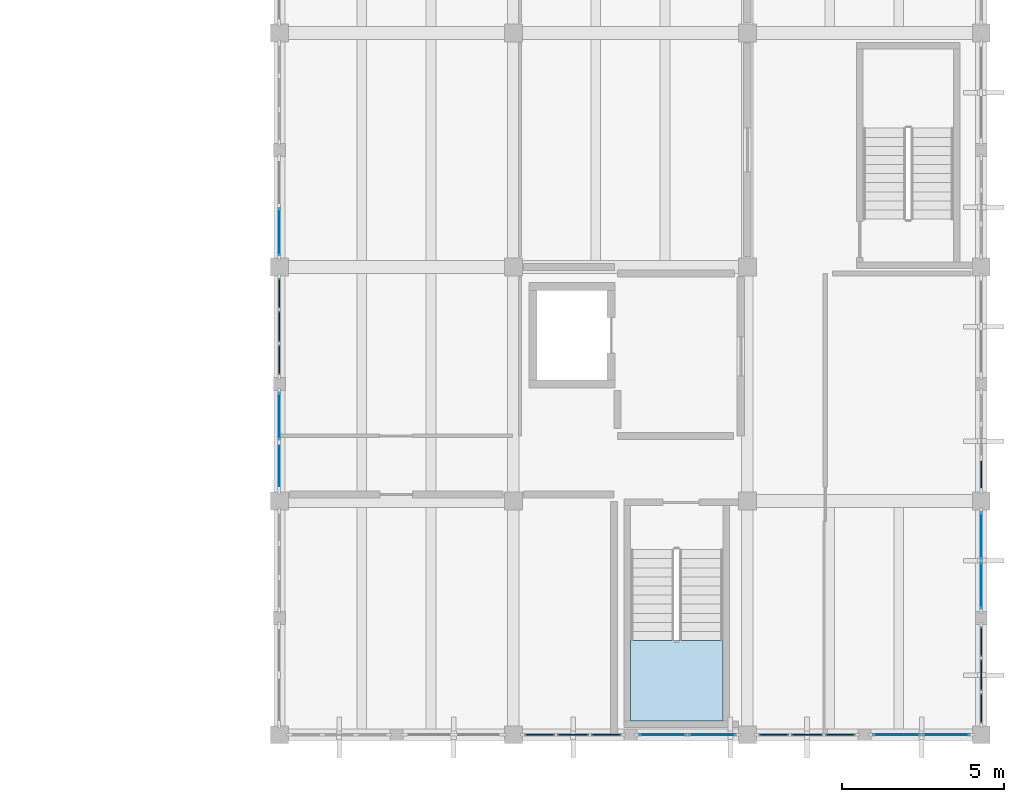
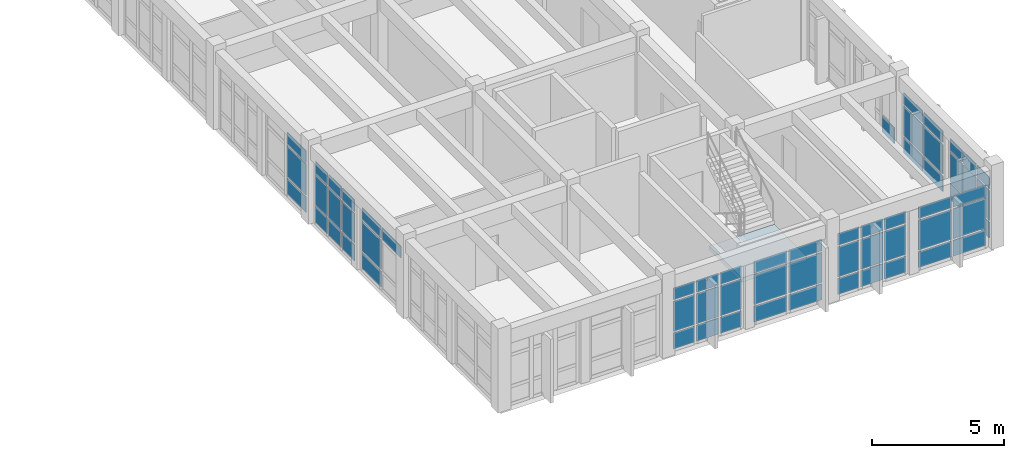
# One storey, part 12 of 22: 62 plates, 1 slab, 11 elements without a shape of their own.
"""IFC4 building model written with IfcOpenShell, lengths in metres."""

from ifc_helpers import new_model, si_unit, direction, frame, origin, origin_2d, place, context, subcontext, project, spatial, polyline, rectangle, outline, extrude, material, layer, layer_set, type_object, element, aggregate, save


model = new_model("IFC4")

# Units and contexts
model_context = context("Model", 3, precision=1e-05, world=origin(), true_north=direction((0.0, 1.0)))
body_context = subcontext(model_context, "Body", "Model", "MODEL_VIEW")
ifc_project = project(units=[si_unit("LENGTHUNIT", "METRE"), si_unit("AREAUNIT", "SQUARE_METRE"), si_unit("VOLUMEUNIT", "CUBIC_METRE"), si_unit("PLANEANGLEUNIT", "RADIAN"), si_unit("MASSUNIT", "GRAM", prefix="KILO")], contexts=[model_context])

# Site, building, storey
site_placement = place(None, origin())
site = spatial("IfcSite", under=ifc_project, at=site_placement, CompositionType="ELEMENT")
building_placement = place(site_placement, origin())
building = spatial("IfcBuilding", under=site, at=building_placement, Name="Koriwan Promenade Central Fire Station", CompositionType="ELEMENT")
storey_placement = place(building_placement, frame((0.0, 0.0, 17.39990234375)))
storey = spatial("IfcBuildingStorey", under=building, at=storey_placement, Name="L04", CompositionType="ELEMENT", Elevation=17.39990234375)

# Curtain wall, plates
ifc_material_1 = material(Name="Aluminium EN AW-6063-T6 and low-E glazing", Category="aluminium")
ifc_layer_1 = layer(ifc_material_1, 0.159912109375, Name="Aluminium EN AW-6063-T6 and low-E glazing")
ifc_layer_set_1 = layer_set([ifc_layer_1], Name="Aluminium EN AW-6063-T6 and low-E glazing")
curtain_wall_type_1 = type_object("IfcCurtainWallType", Name="CurtainWall_83_312x296", PredefinedType="USERDEFINED", material=ifc_layer_set_1)
curtain_wall_1_placement = place(storey_placement, origin())
curtain_wall_1 = element("IfcCurtainWall", 1, at=curtain_wall_1_placement, inside=storey, type_object=curtain_wall_type_1, Name="V5 L04 unitised curtain wall 252", ObjectType="UNITISED CURTAIN WALL", PredefinedType="USERDEFINED")
ifc_material_2 = material(Name="Low-E laminated double glazing", Category="glass")
ifc_layer_2 = layer(ifc_material_2, 0.028076171875, Name="Low-E laminated double glazing")
ifc_layer_set_2 = layer_set([ifc_layer_2], Name="Low-E laminated double glazing")
plate_type_1 = type_object("IfcPlateType", Name="CWPanel_28", PredefinedType="CURTAIN_PANEL", material=ifc_layer_set_2)
plate_1_placement = place(storey_placement, frame((172.800048828125, 4.601318359375, 0.080078125), z_axis=(0.0, 0.0, 1.0), x_axis=(0.0, 1.0, 0.0)))
plate_1 = element("IfcPlate", 2, at=plate_1_placement, type_object=plate_type_1, Name="CW-83 panel 1.1", PredefinedType="CURTAIN_PANEL", context=body_context, shape_type="SweptSolid", body=[
    extrude(rectangle(XDim=1.4423828125, YDim=0.028076171875, at=origin_2d()), origin(), (0.0, 0.0, 1.0), 0.72998046875),
])
plate_2_placement = place(storey_placement, frame((172.800048828125, 4.601318359375, 0.89013671875), z_axis=(0.0, 0.0, 1.0), x_axis=(0.0, 1.0, 0.0)))
plate_2 = element("IfcPlate", 3, at=plate_2_placement, type_object=plate_type_1, Name="CW-83 panel 1.2", PredefinedType="CURTAIN_PANEL", context=body_context, shape_type="SweptSolid", body=[
    extrude(rectangle(XDim=1.4423828125, YDim=0.028076171875, at=origin_2d()), origin(), (0.0, 0.0, 1.0), 1.3798828125),
])
plate_3_placement = place(storey_placement, frame((172.800048828125, 4.601318359375, 2.35009765625), z_axis=(0.0, 0.0, 1.0), x_axis=(0.0, 1.0, 0.0)))
plate_3 = element("IfcPlate", 4, at=plate_3_placement, type_object=plate_type_1, Name="CW-83 panel 1.3", PredefinedType="CURTAIN_PANEL", context=body_context, shape_type="SweptSolid", body=[
    extrude(rectangle(XDim=1.4423828125, YDim=0.028076171875, at=origin_2d()), origin(), (0.0, 0.0, 1.0), 0.530029296875),
])
plate_4_placement = place(storey_placement, frame((172.800048828125, 6.123779296875, 0.080078125), z_axis=(0.0, 0.0, 1.0), x_axis=(0.0, 1.0, 0.0)))
plate_4 = element("IfcPlate", 5, at=plate_4_placement, type_object=plate_type_1, Name="CW-83 panel 2.1", PredefinedType="CURTAIN_PANEL", context=body_context, shape_type="SweptSolid", body=[
    extrude(rectangle(XDim=1.4423828125, YDim=0.028076171875, at=origin_2d()), origin(), (0.0, 0.0, 1.0), 0.72998046875),
])
plate_5_placement = place(storey_placement, frame((172.800048828125, 6.123779296875, 0.89013671875), z_axis=(0.0, 0.0, 1.0), x_axis=(0.0, 1.0, 0.0)))
plate_5 = element("IfcPlate", 6, at=plate_5_placement, type_object=plate_type_1, Name="CW-83 panel 2.2", PredefinedType="CURTAIN_PANEL", context=body_context, shape_type="SweptSolid", body=[
    extrude(rectangle(XDim=1.4423828125, YDim=0.028076171875, at=origin_2d()), origin(), (0.0, 0.0, 1.0), 1.3798828125),
])
plate_6_placement = place(storey_placement, frame((172.800048828125, 6.123779296875, 2.35009765625), z_axis=(0.0, 0.0, 1.0), x_axis=(0.0, 1.0, 0.0)))
plate_6 = element("IfcPlate", 7, at=plate_6_placement, type_object=plate_type_1, Name="CW-83 panel 2.3", PredefinedType="CURTAIN_PANEL", context=body_context, shape_type="SweptSolid", body=[
    extrude(rectangle(XDim=1.4423828125, YDim=0.028076171875, at=origin_2d()), origin(), (0.0, 0.0, 1.0), 0.530029296875),
])
aggregate(curtain_wall_1, [plate_1, plate_2, plate_3, plate_4, plate_5, plate_6])

ifc_layer_3 = layer(ifc_material_1, 0.159912109375, Name="Aluminium EN AW-6063-T6 and low-E glazing")
ifc_layer_set_3 = layer_set([ifc_layer_3], Name="Aluminium EN AW-6063-T6 and low-E glazing")
curtain_wall_type_2 = type_object("IfcCurtainWallType", Name="CurtainWall_85_312x301", PredefinedType="USERDEFINED", material=ifc_layer_set_3)
curtain_wall_2_placement = place(storey_placement, origin())
curtain_wall_2 = element("IfcCurtainWall", 8, at=curtain_wall_2_placement, inside=storey, type_object=curtain_wall_type_2, Name="V5 L04 unitised curtain wall 266", ObjectType="UNITISED CURTAIN WALL", PredefinedType="USERDEFINED")
plate_7_placement = place(storey_placement, frame((151.199951171875, 15.476318359375, 0.080078125), z_axis=(0.0, 0.0, 1.0), x_axis=(0.0, -1.0, 0.0)))
plate_7 = element("IfcPlate", 9, at=plate_7_placement, type_object=plate_type_1, Name="CW-85 panel 2.1", PredefinedType="CURTAIN_PANEL", context=body_context, shape_type="SweptSolid", body=[
    extrude(rectangle(XDim=1.4423828125, YDim=0.028076171875, at=origin_2d()), origin(), (0.0, 0.0, 1.0), 0.72998046875),
])
plate_8_placement = place(storey_placement, frame((151.199951171875, 15.476318359375, 0.89013671875), z_axis=(0.0, 0.0, 1.0), x_axis=(0.0, -1.0, 0.0)))
plate_8 = element("IfcPlate", 10, at=plate_8_placement, type_object=plate_type_1, Name="CW-85 panel 2.2", PredefinedType="CURTAIN_PANEL", context=body_context, shape_type="SweptSolid", body=[
    extrude(rectangle(XDim=1.4423828125, YDim=0.028076171875, at=origin_2d()), origin(), (0.0, 0.0, 1.0), 1.429931640625),
])
plate_9_placement = place(storey_placement, frame((151.199951171875, 15.476318359375, 2.39990234375), z_axis=(0.0, 0.0, 1.0), x_axis=(0.0, -1.0, 0.0)))
plate_9 = element("IfcPlate", 11, at=plate_9_placement, type_object=plate_type_1, Name="CW-85 panel 2.3", PredefinedType="CURTAIN_PANEL", context=body_context, shape_type="SweptSolid", body=[
    extrude(rectangle(XDim=1.4423828125, YDim=0.028076171875, at=origin_2d()), origin(), (0.0, 0.0, 1.0), 0.530029296875),
])
aggregate(curtain_wall_2, [plate_7, plate_8, plate_9])

curtain_wall_3_placement = place(storey_placement, origin())
curtain_wall_3 = element("IfcCurtainWall", 12, at=curtain_wall_3_placement, inside=storey, type_object=curtain_wall_type_1, Name="V5 L04 unitised curtain wall 268", ObjectType="UNITISED CURTAIN WALL", PredefinedType="USERDEFINED")
plate_10_placement = place(storey_placement, frame((151.199951171875, 9.798828125, 0.080078125), z_axis=(0.0, 0.0, 1.0), x_axis=(0.0, -1.0, 0.0)))
plate_10 = element("IfcPlate", 13, at=plate_10_placement, type_object=plate_type_1, Name="CW-83 panel 1.1", PredefinedType="CURTAIN_PANEL", context=body_context, shape_type="SweptSolid", body=[
    extrude(rectangle(XDim=1.4423828125, YDim=0.028076171875, at=origin_2d()), origin(), (0.0, 0.0, 1.0), 0.72998046875),
])
plate_11_placement = place(storey_placement, frame((151.199951171875, 9.798828125, 0.89013671875), z_axis=(0.0, 0.0, 1.0), x_axis=(0.0, -1.0, 0.0)))
plate_11 = element("IfcPlate", 14, at=plate_11_placement, type_object=plate_type_1, Name="CW-83 panel 1.2", PredefinedType="CURTAIN_PANEL", context=body_context, shape_type="SweptSolid", body=[
    extrude(rectangle(XDim=1.4423828125, YDim=0.028076171875, at=origin_2d()), origin(), (0.0, 0.0, 1.0), 1.3798828125),
])
plate_12_placement = place(storey_placement, frame((151.199951171875, 9.798828125, 2.35009765625), z_axis=(0.0, 0.0, 1.0), x_axis=(0.0, -1.0, 0.0)))
plate_12 = element("IfcPlate", 15, at=plate_12_placement, type_object=plate_type_1, Name="CW-83 panel 1.3", PredefinedType="CURTAIN_PANEL", context=body_context, shape_type="SweptSolid", body=[
    extrude(rectangle(XDim=1.4423828125, YDim=0.028076171875, at=origin_2d()), origin(), (0.0, 0.0, 1.0), 0.530029296875),
])
plate_13_placement = place(storey_placement, frame((151.199951171875, 8.2763671875, 2.35009765625), z_axis=(0.0, 0.0, 1.0), x_axis=(0.0, -1.0, 0.0)))
plate_13 = element("IfcPlate", 16, at=plate_13_placement, type_object=plate_type_1, Name="CW-83 panel 2.3", PredefinedType="CURTAIN_PANEL", context=body_context, shape_type="SweptSolid", body=[
    extrude(rectangle(XDim=1.4423828125, YDim=0.028076171875, at=origin_2d()), origin(), (0.0, 0.0, 1.0), 0.530029296875),
])
aggregate(curtain_wall_3, [plate_10, plate_11, plate_12, plate_13])

curtain_wall_4_placement = place(storey_placement, origin())
curtain_wall_4 = element("IfcCurtainWall", 17, at=curtain_wall_4_placement, inside=storey, type_object=curtain_wall_type_1, Name="V5 L04 unitised curtain wall 274", ObjectType="UNITISED CURTAIN WALL", PredefinedType="USERDEFINED")
plate_14_placement = place(storey_placement, frame((163.001220703125, 0.0, 0.080078125), z_axis=(0.0, 0.0, 1.0), x_axis=(1.0, 0.0, 0.0)))
plate_14 = element("IfcPlate", 18, at=plate_14_placement, type_object=plate_type_1, Name="CW-83 panel 1.1", PredefinedType="CURTAIN_PANEL", context=body_context, shape_type="SweptSolid", body=[
    extrude(rectangle(XDim=1.4423828125, YDim=0.028076171875, at=origin_2d()), origin(), (0.0, 0.0, 1.0), 0.72998046875),
])
plate_15_placement = place(storey_placement, frame((163.001220703125, 0.0, 0.89013671875), z_axis=(0.0, 0.0, 1.0), x_axis=(1.0, 0.0, 0.0)))
plate_15 = element("IfcPlate", 19, at=plate_15_placement, type_object=plate_type_1, Name="CW-83 panel 1.2", PredefinedType="CURTAIN_PANEL", context=body_context, shape_type="SweptSolid", body=[
    extrude(rectangle(XDim=1.4423828125, YDim=0.028076171875, at=origin_2d()), origin(), (0.0, 0.0, 1.0), 1.3798828125),
])
plate_16_placement = place(storey_placement, frame((163.001220703125, 0.0, 2.35009765625), z_axis=(0.0, 0.0, 1.0), x_axis=(1.0, 0.0, 0.0)))
plate_16 = element("IfcPlate", 20, at=plate_16_placement, type_object=plate_type_1, Name="CW-83 panel 1.3", PredefinedType="CURTAIN_PANEL", context=body_context, shape_type="SweptSolid", body=[
    extrude(rectangle(XDim=1.4423828125, YDim=0.028076171875, at=origin_2d()), origin(), (0.0, 0.0, 1.0), 0.530029296875),
])
plate_17_placement = place(storey_placement, frame((164.523681640625, 0.0, 0.080078125), z_axis=(0.0, 0.0, 1.0), x_axis=(1.0, 0.0, 0.0)))
plate_17 = element("IfcPlate", 21, at=plate_17_placement, type_object=plate_type_1, Name="CW-83 panel 2.1", PredefinedType="CURTAIN_PANEL", context=body_context, shape_type="SweptSolid", body=[
    extrude(rectangle(XDim=1.4423828125, YDim=0.028076171875, at=origin_2d()), origin(), (0.0, 0.0, 1.0), 0.72998046875),
])
plate_18_placement = place(storey_placement, frame((164.523681640625, 0.0, 0.89013671875), z_axis=(0.0, 0.0, 1.0), x_axis=(1.0, 0.0, 0.0)))
plate_18 = element("IfcPlate", 22, at=plate_18_placement, type_object=plate_type_1, Name="CW-83 panel 2.2", PredefinedType="CURTAIN_PANEL", context=body_context, shape_type="SweptSolid", body=[
    extrude(rectangle(XDim=1.4423828125, YDim=0.028076171875, at=origin_2d()), origin(), (0.0, 0.0, 1.0), 1.3798828125),
])
plate_19_placement = place(storey_placement, frame((164.523681640625, 0.0, 2.35009765625), z_axis=(0.0, 0.0, 1.0), x_axis=(1.0, 0.0, 0.0)))
plate_19 = element("IfcPlate", 23, at=plate_19_placement, type_object=plate_type_1, Name="CW-83 panel 2.3", PredefinedType="CURTAIN_PANEL", context=body_context, shape_type="SweptSolid", body=[
    extrude(rectangle(XDim=1.4423828125, YDim=0.028076171875, at=origin_2d()), origin(), (0.0, 0.0, 1.0), 0.530029296875),
])
aggregate(curtain_wall_4, [plate_14, plate_15, plate_16, plate_17, plate_18, plate_19])

curtain_wall_5_placement = place(storey_placement, origin())
curtain_wall_5 = element("IfcCurtainWall", 24, at=curtain_wall_5_placement, inside=storey, type_object=curtain_wall_type_1, Name="V5 L04 unitised curtain wall 276", ObjectType="UNITISED CURTAIN WALL", PredefinedType="USERDEFINED")
plate_20_placement = place(storey_placement, frame((170.201171875, 0.0, 0.080078125), z_axis=(0.0, 0.0, 1.0), x_axis=(1.0, 0.0, 0.0)))
plate_20 = element("IfcPlate", 25, at=plate_20_placement, type_object=plate_type_1, Name="CW-83 panel 1.1", PredefinedType="CURTAIN_PANEL", context=body_context, shape_type="SweptSolid", body=[
    extrude(rectangle(XDim=1.4423828125, YDim=0.028076171875, at=origin_2d()), origin(), (0.0, 0.0, 1.0), 0.72998046875),
])
plate_21_placement = place(storey_placement, frame((170.201171875, 0.0, 0.89013671875), z_axis=(0.0, 0.0, 1.0), x_axis=(1.0, 0.0, 0.0)))
plate_21 = element("IfcPlate", 26, at=plate_21_placement, type_object=plate_type_1, Name="CW-83 panel 1.2", PredefinedType="CURTAIN_PANEL", context=body_context, shape_type="SweptSolid", body=[
    extrude(rectangle(XDim=1.4423828125, YDim=0.028076171875, at=origin_2d()), origin(), (0.0, 0.0, 1.0), 1.3798828125),
])
plate_22_placement = place(storey_placement, frame((170.201171875, 0.0, 2.35009765625), z_axis=(0.0, 0.0, 1.0), x_axis=(1.0, 0.0, 0.0)))
plate_22 = element("IfcPlate", 27, at=plate_22_placement, type_object=plate_type_1, Name="CW-83 panel 1.3", PredefinedType="CURTAIN_PANEL", context=body_context, shape_type="SweptSolid", body=[
    extrude(rectangle(XDim=1.4423828125, YDim=0.028076171875, at=origin_2d()), origin(), (0.0, 0.0, 1.0), 0.530029296875),
])
plate_23_placement = place(storey_placement, frame((171.7236328125, 0.0, 0.080078125), z_axis=(0.0, 0.0, 1.0), x_axis=(1.0, 0.0, 0.0)))
plate_23 = element("IfcPlate", 28, at=plate_23_placement, type_object=plate_type_1, Name="CW-83 panel 2.1", PredefinedType="CURTAIN_PANEL", context=body_context, shape_type="SweptSolid", body=[
    extrude(rectangle(XDim=1.4423828125, YDim=0.028076171875, at=origin_2d()), origin(), (0.0, 0.0, 1.0), 0.72998046875),
])
plate_24_placement = place(storey_placement, frame((171.7236328125, 0.0, 0.89013671875), z_axis=(0.0, 0.0, 1.0), x_axis=(1.0, 0.0, 0.0)))
plate_24 = element("IfcPlate", 29, at=plate_24_placement, type_object=plate_type_1, Name="CW-83 panel 2.2", PredefinedType="CURTAIN_PANEL", context=body_context, shape_type="SweptSolid", body=[
    extrude(rectangle(XDim=1.4423828125, YDim=0.028076171875, at=origin_2d()), origin(), (0.0, 0.0, 1.0), 1.3798828125),
])
plate_25_placement = place(storey_placement, frame((171.7236328125, 0.0, 2.35009765625), z_axis=(0.0, 0.0, 1.0), x_axis=(1.0, 0.0, 0.0)))
plate_25 = element("IfcPlate", 30, at=plate_25_placement, type_object=plate_type_1, Name="CW-83 panel 2.3", PredefinedType="CURTAIN_PANEL", context=body_context, shape_type="SweptSolid", body=[
    extrude(rectangle(XDim=1.4423828125, YDim=0.028076171875, at=origin_2d()), origin(), (0.0, 0.0, 1.0), 0.530029296875),
])
aggregate(curtain_wall_5, [plate_20, plate_21, plate_22, plate_23, plate_24, plate_25])

ifc_layer_4 = layer(ifc_material_1, 0.159912109375, Name="Aluminium EN AW-6063-T6 and low-E glazing")
ifc_layer_set_4 = layer_set([ifc_layer_4], Name="Aluminium EN AW-6063-T6 and low-E glazing")
curtain_wall_type_3 = type_object("IfcCurtainWallType", Name="CurtainWall_82_312x296", PredefinedType="USERDEFINED", material=ifc_layer_set_4)
curtain_wall_6_placement = place(storey_placement, origin())
curtain_wall_6 = element("IfcCurtainWall", 31, at=curtain_wall_6_placement, inside=storey, type_object=curtain_wall_type_3, Name="V5 L04 unitised curtain wall 251", ObjectType="UNITISED CURTAIN WALL", PredefinedType="USERDEFINED")
ifc_material_3 = material(Name="Solar-control low-E acoustic glazing", Category="glass")
ifc_layer_5 = layer(ifc_material_3, 0.031982421875, Name="Solar-control low-E acoustic glazing")
ifc_layer_set_5 = layer_set([ifc_layer_5], Name="Solar-control low-E acoustic glazing")
plate_type_2 = type_object("IfcPlateType", Name="CWPanel_32", PredefinedType="CURTAIN_PANEL", material=ifc_layer_set_5)
plate_26_placement = place(storey_placement, frame((172.800048828125, 0.814697265625, 0.0751953125), z_axis=(0.0, 0.0, 1.0), x_axis=(0.0, 1.0, 0.0)))
plate_26 = element("IfcPlate", 32, at=plate_26_placement, type_object=plate_type_2, Name="CW-82 panel 1.1", PredefinedType="CURTAIN_PANEL", context=body_context, shape_type="SweptSolid", body=[
    extrude(rectangle(XDim=0.92919921875, YDim=0.031982421875, at=origin_2d()), origin(), (0.0, 0.0, 1.0), 0.737548828125),
])
plate_27_placement = place(storey_placement, frame((172.800048828125, 0.814697265625, 0.8876953125), z_axis=(0.0, 0.0, 1.0), x_axis=(0.0, 1.0, 0.0)))
plate_27 = element("IfcPlate", 33, at=plate_27_placement, type_object=plate_type_2, Name="CW-82 panel 1.2", PredefinedType="CURTAIN_PANEL", context=body_context, shape_type="SweptSolid", body=[
    extrude(rectangle(XDim=0.92919921875, YDim=0.031982421875, at=origin_2d()), origin(), (0.0, 0.0, 1.0), 1.385009765625),
])
plate_28_placement = place(storey_placement, frame((172.800048828125, 0.814697265625, 2.34765625), z_axis=(0.0, 0.0, 1.0), x_axis=(0.0, 1.0, 0.0)))
plate_28 = element("IfcPlate", 34, at=plate_28_placement, type_object=plate_type_2, Name="CW-82 panel 1.3", PredefinedType="CURTAIN_PANEL", context=body_context, shape_type="SweptSolid", body=[
    extrude(rectangle(XDim=0.92919921875, YDim=0.031982421875, at=origin_2d()), origin(), (0.0, 0.0, 1.0), 0.53759765625),
])
plate_29_placement = place(storey_placement, frame((172.800048828125, 1.83740234375, 0.0751953125), z_axis=(0.0, 0.0, 1.0), x_axis=(0.0, 1.0, 0.0)))
plate_29 = element("IfcPlate", 35, at=plate_29_placement, type_object=plate_type_2, Name="CW-82 panel 2.1", PredefinedType="CURTAIN_PANEL", context=body_context, shape_type="SweptSolid", body=[
    extrude(rectangle(XDim=0.966552734375, YDim=0.031982421875, at=origin_2d()), origin(), (0.0, 0.0, 1.0), 0.737548828125),
])
plate_30_placement = place(storey_placement, frame((172.800048828125, 1.83740234375, 0.8876953125), z_axis=(0.0, 0.0, 1.0), x_axis=(0.0, 1.0, 0.0)))
plate_30 = element("IfcPlate", 36, at=plate_30_placement, type_object=plate_type_2, Name="CW-82 panel 2.2", PredefinedType="CURTAIN_PANEL", context=body_context, shape_type="SweptSolid", body=[
    extrude(rectangle(XDim=0.966552734375, YDim=0.031982421875, at=origin_2d()), origin(), (0.0, 0.0, 1.0), 1.385009765625),
])
plate_31_placement = place(storey_placement, frame((172.800048828125, 1.83740234375, 2.34765625), z_axis=(0.0, 0.0, 1.0), x_axis=(0.0, 1.0, 0.0)))
plate_31 = element("IfcPlate", 37, at=plate_31_placement, type_object=plate_type_2, Name="CW-82 panel 2.3", PredefinedType="CURTAIN_PANEL", context=body_context, shape_type="SweptSolid", body=[
    extrude(rectangle(XDim=0.966552734375, YDim=0.031982421875, at=origin_2d()), origin(), (0.0, 0.0, 1.0), 0.53759765625),
])
plate_32_placement = place(storey_placement, frame((172.800048828125, 2.8603515625, 0.0751953125), z_axis=(0.0, 0.0, 1.0), x_axis=(0.0, 1.0, 0.0)))
plate_32 = element("IfcPlate", 38, at=plate_32_placement, type_object=plate_type_2, Name="CW-82 panel 3.1", PredefinedType="CURTAIN_PANEL", context=body_context, shape_type="SweptSolid", body=[
    extrude(rectangle(XDim=0.92919921875, YDim=0.031982421875, at=origin_2d()), origin(), (0.0, 0.0, 1.0), 0.737548828125),
])
plate_33_placement = place(storey_placement, frame((172.800048828125, 2.8603515625, 0.8876953125), z_axis=(0.0, 0.0, 1.0), x_axis=(0.0, 1.0, 0.0)))
plate_33 = element("IfcPlate", 39, at=plate_33_placement, type_object=plate_type_2, Name="CW-82 panel 3.2", PredefinedType="CURTAIN_PANEL", context=body_context, shape_type="SweptSolid", body=[
    extrude(rectangle(XDim=0.92919921875, YDim=0.031982421875, at=origin_2d()), origin(), (0.0, 0.0, 1.0), 1.385009765625),
])
plate_34_placement = place(storey_placement, frame((172.800048828125, 2.8603515625, 2.34765625), z_axis=(0.0, 0.0, 1.0), x_axis=(0.0, 1.0, 0.0)))
plate_34 = element("IfcPlate", 40, at=plate_34_placement, type_object=plate_type_2, Name="CW-82 panel 3.3", PredefinedType="CURTAIN_PANEL", context=body_context, shape_type="SweptSolid", body=[
    extrude(rectangle(XDim=0.92919921875, YDim=0.031982421875, at=origin_2d()), origin(), (0.0, 0.0, 1.0), 0.53759765625),
])
aggregate(curtain_wall_6, [plate_26, plate_27, plate_28, plate_29, plate_30, plate_31, plate_32, plate_33, plate_34])

# Curtain wall, plate
ifc_layer_6 = layer(ifc_material_1, 0.159912109375, Name="Aluminium EN AW-6063-T6 and low-E glazing")
ifc_layer_set_6 = layer_set([ifc_layer_6], Name="Aluminium EN AW-6063-T6 and low-E glazing")
curtain_wall_type_4 = type_object("IfcCurtainWallType", Name="CurtainWall_84_312x301", PredefinedType="USERDEFINED", material=ifc_layer_set_6)
curtain_wall_7_placement = place(storey_placement, origin())
curtain_wall_7 = element("IfcCurtainWall", 41, at=curtain_wall_7_placement, inside=storey, type_object=curtain_wall_type_4, Name="V5 L04 unitised curtain wall 253", ObjectType="UNITISED CURTAIN WALL", PredefinedType="USERDEFINED")
plate_35_placement = place(storey_placement, frame((172.800048828125, 8.0146484375, 0.0751953125), z_axis=(0.0, 0.0, 1.0), x_axis=(0.0, 1.0, 0.0)))
plate_35 = element("IfcPlate", 42, at=plate_35_placement, type_object=plate_type_2, Name="CW-84 panel 1.1", PredefinedType="CURTAIN_PANEL", context=body_context, shape_type="SweptSolid", body=[
    extrude(rectangle(XDim=0.92919921875, YDim=0.031982421875, at=origin_2d()), origin(), (0.0, 0.0, 1.0), 0.737548828125),
])
aggregate(curtain_wall_7, [plate_35])

# Curtain wall, plates
curtain_wall_8_placement = place(storey_placement, origin())
curtain_wall_8 = element("IfcCurtainWall", 43, at=curtain_wall_8_placement, inside=storey, type_object=curtain_wall_type_3, Name="V5 L04 unitised curtain wall 267", ObjectType="UNITISED CURTAIN WALL", PredefinedType="USERDEFINED")
plate_36_placement = place(storey_placement, frame((151.199951171875, 13.58544921875, 0.0751953125), z_axis=(0.0, 0.0, 1.0), x_axis=(0.0, -1.0, 0.0)))
plate_36 = element("IfcPlate", 44, at=plate_36_placement, type_object=plate_type_2, Name="CW-82 panel 1.1", PredefinedType="CURTAIN_PANEL", context=body_context, shape_type="SweptSolid", body=[
    extrude(rectangle(XDim=0.92919921875, YDim=0.031982421875, at=origin_2d()), origin(), (0.0, 0.0, 1.0), 0.737548828125),
])
plate_37_placement = place(storey_placement, frame((151.199951171875, 13.58544921875, 0.8876953125), z_axis=(0.0, 0.0, 1.0), x_axis=(0.0, -1.0, 0.0)))
plate_37 = element("IfcPlate", 45, at=plate_37_placement, type_object=plate_type_2, Name="CW-82 panel 1.2", PredefinedType="CURTAIN_PANEL", context=body_context, shape_type="SweptSolid", body=[
    extrude(rectangle(XDim=0.92919921875, YDim=0.031982421875, at=origin_2d()), origin(), (0.0, 0.0, 1.0), 1.385009765625),
])
plate_38_placement = place(storey_placement, frame((151.199951171875, 13.58544921875, 2.34765625), z_axis=(0.0, 0.0, 1.0), x_axis=(0.0, -1.0, 0.0)))
plate_38 = element("IfcPlate", 46, at=plate_38_placement, type_object=plate_type_2, Name="CW-82 panel 1.3", PredefinedType="CURTAIN_PANEL", context=body_context, shape_type="SweptSolid", body=[
    extrude(rectangle(XDim=0.92919921875, YDim=0.031982421875, at=origin_2d()), origin(), (0.0, 0.0, 1.0), 0.53759765625),
])
plate_39_placement = place(storey_placement, frame((151.199951171875, 12.5625, 0.0751953125), z_axis=(0.0, 0.0, 1.0), x_axis=(0.0, -1.0, 0.0)))
plate_39 = element("IfcPlate", 47, at=plate_39_placement, type_object=plate_type_2, Name="CW-82 panel 2.1", PredefinedType="CURTAIN_PANEL", context=body_context, shape_type="SweptSolid", body=[
    extrude(rectangle(XDim=0.966552734375, YDim=0.031982421875, at=origin_2d()), origin(), (0.0, 0.0, 1.0), 0.737548828125),
])
plate_40_placement = place(storey_placement, frame((151.199951171875, 12.5625, 0.8876953125), z_axis=(0.0, 0.0, 1.0), x_axis=(0.0, -1.0, 0.0)))
plate_40 = element("IfcPlate", 48, at=plate_40_placement, type_object=plate_type_2, Name="CW-82 panel 2.2", PredefinedType="CURTAIN_PANEL", context=body_context, shape_type="SweptSolid", body=[
    extrude(rectangle(XDim=0.966552734375, YDim=0.031982421875, at=origin_2d()), origin(), (0.0, 0.0, 1.0), 1.385009765625),
])
plate_41_placement = place(storey_placement, frame((151.199951171875, 12.5625, 2.34765625), z_axis=(0.0, 0.0, 1.0), x_axis=(0.0, -1.0, 0.0)))
plate_41 = element("IfcPlate", 49, at=plate_41_placement, type_object=plate_type_2, Name="CW-82 panel 2.3", PredefinedType="CURTAIN_PANEL", context=body_context, shape_type="SweptSolid", body=[
    extrude(rectangle(XDim=0.966552734375, YDim=0.031982421875, at=origin_2d()), origin(), (0.0, 0.0, 1.0), 0.53759765625),
])
plate_42_placement = place(storey_placement, frame((151.199951171875, 11.53955078125, 0.0751953125), z_axis=(0.0, 0.0, 1.0), x_axis=(0.0, -1.0, 0.0)))
plate_42 = element("IfcPlate", 50, at=plate_42_placement, type_object=plate_type_2, Name="CW-82 panel 3.1", PredefinedType="CURTAIN_PANEL", context=body_context, shape_type="SweptSolid", body=[
    extrude(rectangle(XDim=0.92919921875, YDim=0.031982421875, at=origin_2d()), origin(), (0.0, 0.0, 1.0), 0.737548828125),
])
plate_43_placement = place(storey_placement, frame((151.199951171875, 11.53955078125, 0.8876953125), z_axis=(0.0, 0.0, 1.0), x_axis=(0.0, -1.0, 0.0)))
plate_43 = element("IfcPlate", 51, at=plate_43_placement, type_object=plate_type_2, Name="CW-82 panel 3.2", PredefinedType="CURTAIN_PANEL", context=body_context, shape_type="SweptSolid", body=[
    extrude(rectangle(XDim=0.92919921875, YDim=0.031982421875, at=origin_2d()), origin(), (0.0, 0.0, 1.0), 1.385009765625),
])
plate_44_placement = place(storey_placement, frame((151.199951171875, 11.53955078125, 2.34765625), z_axis=(0.0, 0.0, 1.0), x_axis=(0.0, -1.0, 0.0)))
plate_44 = element("IfcPlate", 52, at=plate_44_placement, type_object=plate_type_2, Name="CW-82 panel 3.3", PredefinedType="CURTAIN_PANEL", context=body_context, shape_type="SweptSolid", body=[
    extrude(rectangle(XDim=0.92919921875, YDim=0.031982421875, at=origin_2d()), origin(), (0.0, 0.0, 1.0), 0.53759765625),
])
aggregate(curtain_wall_8, [plate_36, plate_37, plate_38, plate_39, plate_40, plate_41, plate_42, plate_43, plate_44])

curtain_wall_9_placement = place(storey_placement, origin())
curtain_wall_9 = element("IfcCurtainWall", 53, at=curtain_wall_9_placement, inside=storey, type_object=curtain_wall_type_3, Name="V5 L04 unitised curtain wall 273", ObjectType="UNITISED CURTAIN WALL", PredefinedType="USERDEFINED")
plate_45_placement = place(storey_placement, frame((159.214599609375, 0.0, 0.0751953125), z_axis=(0.0, 0.0, 1.0), x_axis=(1.0, 0.0, 0.0)))
plate_45 = element("IfcPlate", 54, at=plate_45_placement, type_object=plate_type_2, Name="CW-82 panel 1.1", PredefinedType="CURTAIN_PANEL", context=body_context, shape_type="SweptSolid", body=[
    extrude(rectangle(XDim=0.92919921875, YDim=0.031982421875, at=origin_2d()), origin(), (0.0, 0.0, 1.0), 0.737548828125),
])
plate_46_placement = place(storey_placement, frame((159.214599609375, 0.0, 0.8876953125), z_axis=(0.0, 0.0, 1.0), x_axis=(1.0, 0.0, 0.0)))
plate_46 = element("IfcPlate", 55, at=plate_46_placement, type_object=plate_type_2, Name="CW-82 panel 1.2", PredefinedType="CURTAIN_PANEL", context=body_context, shape_type="SweptSolid", body=[
    extrude(rectangle(XDim=0.92919921875, YDim=0.031982421875, at=origin_2d()), origin(), (0.0, 0.0, 1.0), 1.385009765625),
])
plate_47_placement = place(storey_placement, frame((159.214599609375, 0.0, 2.34765625), z_axis=(0.0, 0.0, 1.0), x_axis=(1.0, 0.0, 0.0)))
plate_47 = element("IfcPlate", 56, at=plate_47_placement, type_object=plate_type_2, Name="CW-82 panel 1.3", PredefinedType="CURTAIN_PANEL", context=body_context, shape_type="SweptSolid", body=[
    extrude(rectangle(XDim=0.92919921875, YDim=0.031982421875, at=origin_2d()), origin(), (0.0, 0.0, 1.0), 0.53759765625),
])
plate_48_placement = place(storey_placement, frame((160.237548828125, 0.0, 0.0751953125), z_axis=(0.0, 0.0, 1.0), x_axis=(1.0, 0.0, 0.0)))
plate_48 = element("IfcPlate", 57, at=plate_48_placement, type_object=plate_type_2, Name="CW-82 panel 2.1", PredefinedType="CURTAIN_PANEL", context=body_context, shape_type="SweptSolid", body=[
    extrude(rectangle(XDim=0.966552734375, YDim=0.031982421875, at=origin_2d()), origin(), (0.0, 0.0, 1.0), 0.737548828125),
])
plate_49_placement = place(storey_placement, frame((160.237548828125, 0.0, 0.8876953125), z_axis=(0.0, 0.0, 1.0), x_axis=(1.0, 0.0, 0.0)))
plate_49 = element("IfcPlate", 58, at=plate_49_placement, type_object=plate_type_2, Name="CW-82 panel 2.2", PredefinedType="CURTAIN_PANEL", context=body_context, shape_type="SweptSolid", body=[
    extrude(rectangle(XDim=0.966552734375, YDim=0.031982421875, at=origin_2d()), origin(), (0.0, 0.0, 1.0), 1.385009765625),
])
plate_50_placement = place(storey_placement, frame((160.237548828125, 0.0, 2.34765625), z_axis=(0.0, 0.0, 1.0), x_axis=(1.0, 0.0, 0.0)))
plate_50 = element("IfcPlate", 59, at=plate_50_placement, type_object=plate_type_2, Name="CW-82 panel 2.3", PredefinedType="CURTAIN_PANEL", context=body_context, shape_type="SweptSolid", body=[
    extrude(rectangle(XDim=0.966552734375, YDim=0.031982421875, at=origin_2d()), origin(), (0.0, 0.0, 1.0), 0.53759765625),
])
plate_51_placement = place(storey_placement, frame((161.260498046875, 0.0, 0.0751953125), z_axis=(0.0, 0.0, 1.0), x_axis=(1.0, 0.0, 0.0)))
plate_51 = element("IfcPlate", 60, at=plate_51_placement, type_object=plate_type_2, Name="CW-82 panel 3.1", PredefinedType="CURTAIN_PANEL", context=body_context, shape_type="SweptSolid", body=[
    extrude(rectangle(XDim=0.92919921875, YDim=0.031982421875, at=origin_2d()), origin(), (0.0, 0.0, 1.0), 0.737548828125),
])
plate_52_placement = place(storey_placement, frame((161.260498046875, 0.0, 0.8876953125), z_axis=(0.0, 0.0, 1.0), x_axis=(1.0, 0.0, 0.0)))
plate_52 = element("IfcPlate", 61, at=plate_52_placement, type_object=plate_type_2, Name="CW-82 panel 3.2", PredefinedType="CURTAIN_PANEL", context=body_context, shape_type="SweptSolid", body=[
    extrude(rectangle(XDim=0.92919921875, YDim=0.031982421875, at=origin_2d()), origin(), (0.0, 0.0, 1.0), 1.385009765625),
])
plate_53_placement = place(storey_placement, frame((161.260498046875, 0.0, 2.34765625), z_axis=(0.0, 0.0, 1.0), x_axis=(1.0, 0.0, 0.0)))
plate_53 = element("IfcPlate", 62, at=plate_53_placement, type_object=plate_type_2, Name="CW-82 panel 3.3", PredefinedType="CURTAIN_PANEL", context=body_context, shape_type="SweptSolid", body=[
    extrude(rectangle(XDim=0.92919921875, YDim=0.031982421875, at=origin_2d()), origin(), (0.0, 0.0, 1.0), 0.53759765625),
])
aggregate(curtain_wall_9, [plate_45, plate_46, plate_47, plate_48, plate_49, plate_50, plate_51, plate_52, plate_53])

curtain_wall_10_placement = place(storey_placement, origin())
curtain_wall_10 = element("IfcCurtainWall", 63, at=curtain_wall_10_placement, inside=storey, type_object=curtain_wall_type_3, Name="V5 L04 unitised curtain wall 275", ObjectType="UNITISED CURTAIN WALL", PredefinedType="USERDEFINED")
plate_54_placement = place(storey_placement, frame((166.41455078125, 0.0, 0.0751953125), z_axis=(0.0, 0.0, 1.0), x_axis=(1.0, 0.0, 0.0)))
plate_54 = element("IfcPlate", 64, at=plate_54_placement, type_object=plate_type_2, Name="CW-82 panel 1.1", PredefinedType="CURTAIN_PANEL", context=body_context, shape_type="SweptSolid", body=[
    extrude(rectangle(XDim=0.92919921875, YDim=0.031982421875, at=origin_2d()), origin(), (0.0, 0.0, 1.0), 0.737548828125),
])
plate_55_placement = place(storey_placement, frame((166.41455078125, 0.0, 0.8876953125), z_axis=(0.0, 0.0, 1.0), x_axis=(1.0, 0.0, 0.0)))
plate_55 = element("IfcPlate", 65, at=plate_55_placement, type_object=plate_type_2, Name="CW-82 panel 1.2", PredefinedType="CURTAIN_PANEL", context=body_context, shape_type="SweptSolid", body=[
    extrude(rectangle(XDim=0.92919921875, YDim=0.031982421875, at=origin_2d()), origin(), (0.0, 0.0, 1.0), 1.385009765625),
])
plate_56_placement = place(storey_placement, frame((166.41455078125, 0.0, 2.34765625), z_axis=(0.0, 0.0, 1.0), x_axis=(1.0, 0.0, 0.0)))
plate_56 = element("IfcPlate", 66, at=plate_56_placement, type_object=plate_type_2, Name="CW-82 panel 1.3", PredefinedType="CURTAIN_PANEL", context=body_context, shape_type="SweptSolid", body=[
    extrude(rectangle(XDim=0.92919921875, YDim=0.031982421875, at=origin_2d()), origin(), (0.0, 0.0, 1.0), 0.53759765625),
])
plate_57_placement = place(storey_placement, frame((167.4375, 0.0, 0.0751953125), z_axis=(0.0, 0.0, 1.0), x_axis=(1.0, 0.0, 0.0)))
plate_57 = element("IfcPlate", 67, at=plate_57_placement, type_object=plate_type_2, Name="CW-82 panel 2.1", PredefinedType="CURTAIN_PANEL", context=body_context, shape_type="SweptSolid", body=[
    extrude(rectangle(XDim=0.966552734375, YDim=0.031982421875, at=origin_2d()), origin(), (0.0, 0.0, 1.0), 0.737548828125),
])
plate_58_placement = place(storey_placement, frame((167.4375, 0.0, 0.8876953125), z_axis=(0.0, 0.0, 1.0), x_axis=(1.0, 0.0, 0.0)))
plate_58 = element("IfcPlate", 68, at=plate_58_placement, type_object=plate_type_2, Name="CW-82 panel 2.2", PredefinedType="CURTAIN_PANEL", context=body_context, shape_type="SweptSolid", body=[
    extrude(rectangle(XDim=0.966552734375, YDim=0.031982421875, at=origin_2d()), origin(), (0.0, 0.0, 1.0), 1.385009765625),
])
plate_59_placement = place(storey_placement, frame((167.4375, 0.0, 2.34765625), z_axis=(0.0, 0.0, 1.0), x_axis=(1.0, 0.0, 0.0)))
plate_59 = element("IfcPlate", 69, at=plate_59_placement, type_object=plate_type_2, Name="CW-82 panel 2.3", PredefinedType="CURTAIN_PANEL", context=body_context, shape_type="SweptSolid", body=[
    extrude(rectangle(XDim=0.966552734375, YDim=0.031982421875, at=origin_2d()), origin(), (0.0, 0.0, 1.0), 0.53759765625),
])
plate_60_placement = place(storey_placement, frame((168.46044921875, 0.0, 0.0751953125), z_axis=(0.0, 0.0, 1.0), x_axis=(1.0, 0.0, 0.0)))
plate_60 = element("IfcPlate", 70, at=plate_60_placement, type_object=plate_type_2, Name="CW-82 panel 3.1", PredefinedType="CURTAIN_PANEL", context=body_context, shape_type="SweptSolid", body=[
    extrude(rectangle(XDim=0.92919921875, YDim=0.031982421875, at=origin_2d()), origin(), (0.0, 0.0, 1.0), 0.737548828125),
])
plate_61_placement = place(storey_placement, frame((168.46044921875, 0.0, 0.8876953125), z_axis=(0.0, 0.0, 1.0), x_axis=(1.0, 0.0, 0.0)))
plate_61 = element("IfcPlate", 71, at=plate_61_placement, type_object=plate_type_2, Name="CW-82 panel 3.2", PredefinedType="CURTAIN_PANEL", context=body_context, shape_type="SweptSolid", body=[
    extrude(rectangle(XDim=0.92919921875, YDim=0.031982421875, at=origin_2d()), origin(), (0.0, 0.0, 1.0), 1.385009765625),
])
plate_62_placement = place(storey_placement, frame((168.46044921875, 0.0, 2.34765625), z_axis=(0.0, 0.0, 1.0), x_axis=(1.0, 0.0, 0.0)))
plate_62 = element("IfcPlate", 72, at=plate_62_placement, type_object=plate_type_2, Name="CW-82 panel 3.3", PredefinedType="CURTAIN_PANEL", context=body_context, shape_type="SweptSolid", body=[
    extrude(rectangle(XDim=0.92919921875, YDim=0.031982421875, at=origin_2d()), origin(), (0.0, 0.0, 1.0), 0.53759765625),
])
aggregate(curtain_wall_10, [plate_54, plate_55, plate_56, plate_57, plate_58, plate_59, plate_60, plate_61, plate_62])

# Stair, slab
ifc_material_4 = material(Name="Concrete C35/45", Category="concrete")
stair_type = type_object("IfcStairType", Name="Stair_HALF_22R_1350", PredefinedType="HALF_TURN_STAIR", material=ifc_material_4)
stair_placement = place(storey_placement, origin())
stair = element("IfcStair", 73, at=stair_placement, inside=storey, type_object=stair_type, Name="L04 Protected Stair ST22", PredefinedType="HALF_TURN_STAIR")
ifc_layer_7 = layer(ifc_material_4, 0.199951171875, Name="Concrete C35/45")
ifc_layer_set_7 = layer_set([ifc_layer_7], Name="Concrete C35/45")
slab_type = type_object("IfcSlabType", Name="StairLanding_200", PredefinedType="LANDING", material=ifc_layer_set_7)
slab_placement = place(storey_placement, frame((0.0, 0.0, 1.75)))
slab = element("IfcSlab", 74, at=slab_placement, type_object=slab_type, Name="ST22 landing 1", PredefinedType="LANDING", context=body_context, shape_type="SweptSolid", body=[
    extrude(outline(polyline([(162.0, 2.89990234375), (162.0, 0.429931640625), (164.85009765625, 0.429931640625), (164.85009765625, 2.89990234375), (162.0, 2.89990234375)])), origin(), (0.0, 0.0, 1.0), 0.2001953125),
])
aggregate(stair, [slab])

save(model, "model.ifc")
